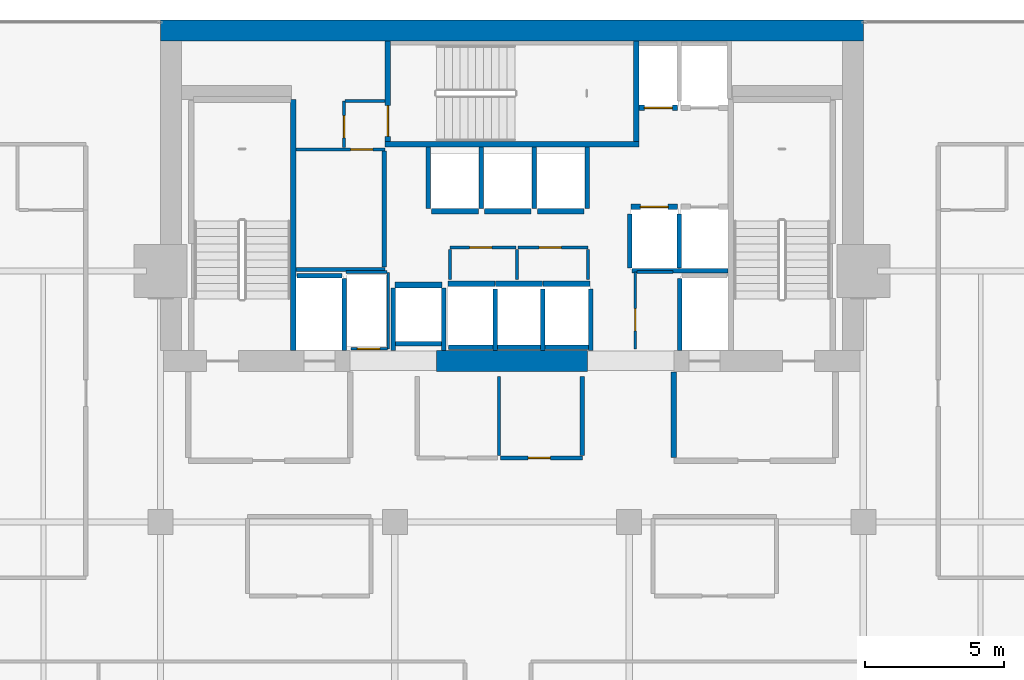
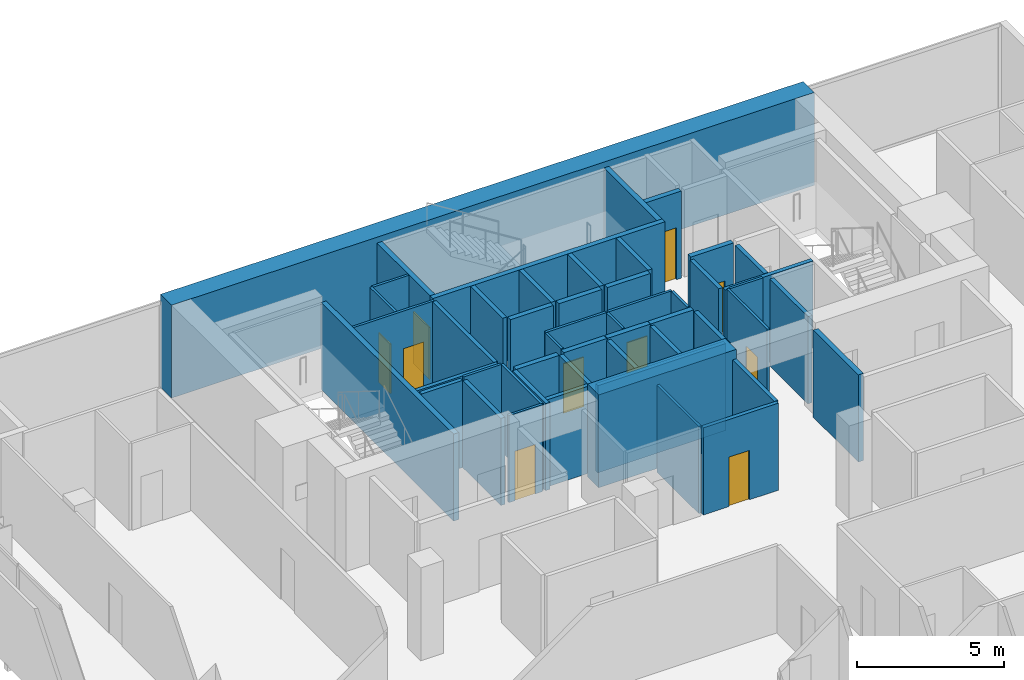
# One storey, part 29 of 33: 51 walls, 10 doors, 10 openings.
"""IFC4 building model written with IfcOpenShell, lengths in metres."""

import ifcopenshell
import ifcopenshell.guid

model = None  # the IFC model being written
_history = None  # IfcOwnerHistory: only IFC2X3 demands one
_inside = {}  # id of a spatial element -> (the spatial element, [elements in it])
_under = {}  # id of a project, library or spatial element -> (it, [spatial elements below it])
_declared = {}  # id of a project -> (the project, [libraries it declares])
_typed = {}  # id of a type object -> (the type object, [elements of that type])
_made_of = {}  # id of a material, layer set ... -> (it, [elements and type objects made of it])


def new_model(schema):
    """Start an empty IFC model of exactly this schema.

    Asked for "IFC4X3", IfcOpenShell would pick the latest addendum, in which some entities
    have other attributes; the version numbers below select the first issue.
    IFC2X3 requires an IfcOwnerHistory on every rooted entity: one is made here for all.
    """
    global model, _history
    if schema == "IFC4X3":
        model = ifcopenshell.file(schema_version=(4, 3, 0, 0))
    else:
        model = ifcopenshell.file(schema=schema)
    _inside.clear()
    _under.clear()
    _declared.clear()
    _typed.clear()
    _made_of.clear()
    _history = None
    if model.schema == "IFC2X3":
        org = make("IfcOrganization", Name="unknown")
        user = make(
            "IfcPersonAndOrganization",
            ThePerson=make("IfcPerson", FamilyName="unknown"),
            TheOrganization=org,
        )
        app = make(
            "IfcApplication",
            ApplicationDeveloper=org,
            Version="unknown",
            ApplicationFullName="unknown",
            ApplicationIdentifier="unknown",
        )
        _history = make(
            "IfcOwnerHistory",
            OwningUser=user,
            OwningApplication=app,
            ChangeAction="ADDED",
            CreationDate=0,
        )
    return model


def make(cls, **values):
    """One entity of the class cls with the attributes given. An attribute that is None is left unset."""
    return model.create_entity(
        cls, **{name: value for name, value in values.items() if value is not None}
    )


def rooted(cls, **values):
    """An entity with a GlobalId (a new one), such as an element, a storey or a relation."""
    return make(cls, GlobalId=ifcopenshell.guid.new(), OwnerHistory=_history, **values)


def si_unit(unit_type, name, prefix=None):
    """IfcSIUnit, for example si_unit("LENGTHUNIT", "METRE", prefix="MILLI")."""
    return make("IfcSIUnit", UnitType=unit_type, Prefix=prefix, Name=name)


def assignment(units):
    """IfcUnitAssignment: the units of a project."""
    return None if units is None else make("IfcUnitAssignment", Units=units)


def point(xyz):
    """IfcCartesianPoint."""
    return None if xyz is None else make("IfcCartesianPoint", Coordinates=xyz)


def direction(xyz):
    """IfcDirection."""
    return None if xyz is None else make("IfcDirection", DirectionRatios=xyz)


def frame(location, z_axis=None, x_axis=None):
    """IfcAxis2Placement3D, a coordinate frame: its origin and axes. An axis left out is left unset."""
    return make(
        "IfcAxis2Placement3D",
        Location=point(location),
        Axis=direction(z_axis),
        RefDirection=direction(x_axis),
    )


def frame_2d(location, x_axis=None):
    """IfcAxis2Placement2D, a coordinate frame in the plane: its origin and x axis."""
    return make(
        "IfcAxis2Placement2D", Location=point(location), RefDirection=direction(x_axis)
    )


def origin():
    """The frame at (0, 0, 0) with its axes left unset."""
    return frame((0.0, 0.0, 0.0))


def place(relative_to, where):
    """IfcLocalPlacement: puts the frame where relative to a parent placement (None: the world)."""
    return make(
        "IfcLocalPlacement", PlacementRelTo=relative_to, RelativePlacement=where
    )


def context(
    kind, dimensions, precision=None, world=None, true_north=None, identifier=None
):
    """IfcGeometricRepresentationContext, for example the 3D "Model" context."""
    return make(
        "IfcGeometricRepresentationContext",
        ContextIdentifier=identifier,
        ContextType=kind,
        CoordinateSpaceDimension=dimensions,
        Precision=precision,
        WorldCoordinateSystem=world,
        TrueNorth=true_north,
    )


def subcontext(parent, identifier, kind, view, scale=None):
    """IfcGeometricRepresentationSubContext, for example "Body" below "Model"."""
    return make(
        "IfcGeometricRepresentationSubContext",
        ContextIdentifier=identifier,
        ContextType=kind,
        ParentContext=parent,
        TargetScale=scale,
        TargetView=view,
    )


def project(units=None, contexts=None):
    """IfcProject with its units and contexts."""
    return rooted(
        "IfcProject",
        Name="project",
        RepresentationContexts=contexts,
        UnitsInContext=assignment(units),
    )


def spatial(cls, under=None, at=None, **own):
    """A site, building, storey or space (cls), placed at a placement, below another one or the project."""
    s = rooted(cls, ObjectPlacement=at, **own)
    if under is not None:
        _under.setdefault(under.id(), (under, []))[1].append(s)
    return s


def profile(cls, at=None, kind="AREA", **sizes):
    """A parametric profile (cls). Its sizes go by their IFC names, for example OverallWidth=200.0."""
    return make(cls, ProfileType=kind, Position=at, **sizes)


def rectangle(**sizes):
    """IfcRectangleProfileDef."""
    return profile("IfcRectangleProfileDef", **sizes)


def extrude(swept, where, along, depth):
    """IfcExtrudedAreaSolid: the profile swept, set in the frame where, extruded along a direction by depth."""
    return make(
        "IfcExtrudedAreaSolid",
        SweptArea=swept,
        Position=where,
        ExtrudedDirection=direction(along),
        Depth=depth,
    )


def shape(context_of_items, identifier, shape_type, items):
    """IfcShapeRepresentation: the items that make up one representation, for example the "Body"."""
    return make(
        "IfcShapeRepresentation",
        ContextOfItems=context_of_items,
        RepresentationIdentifier=identifier,
        RepresentationType=shape_type,
        Items=items,
    )


def material(Name=None, Category=None):
    """IfcMaterial."""
    return make("IfcMaterial", Name=Name, Category=Category)


def layer(
    of_material, thickness, ventilated=None, Name=None, Category=None, Priority=None
):
    """IfcMaterialLayer: one layer of a wall or slab, of a material (None: an air gap)."""
    return make(
        "IfcMaterialLayer",
        Material=of_material,
        LayerThickness=thickness,
        IsVentilated=ventilated,
        Name=Name,
        Category=Category,
        Priority=Priority,
    )


def layer_set(layers, Name=None):
    """IfcMaterialLayerSet."""
    return make("IfcMaterialLayerSet", MaterialLayers=layers, LayerSetName=Name)


def made_of(thing, what):
    """Note that an element or type object is made of a material, layer set ...; save() writes the relation."""
    if what is not None:
        _made_of.setdefault(what.id(), (what, []))[1].append(thing)
    return thing


def type_object(cls, material=None, **own):
    """A type object (cls), such as IfcWallType, which elements share."""
    return made_of(rooted(cls, **own), material)


def element(
    cls,
    number,
    at=None,
    inside=None,
    cuts=None,
    type_object=None,
    material=None,
    context=None,
    identifier="Body",
    shape_type=None,
    held_by="IfcProductDefinitionShape",
    body=None,
    shapes=None,
    **own,
):
    """One element of the class cls, such as IfcWall. Its Tag is "e" and its number.

    at: its placement. inside: the storey or other place that contains it. cuts: it is an
    opening in that element (IfcRelVoidsElement). A single representation is given by context,
    identifier, shape_type and body (its items); several are given by shapes. held_by: the class
    of the entity that holds the representations. save() writes the other relations.
    """
    e = rooted(cls, Tag="e%d" % number, ObjectPlacement=at, **own)
    if body is not None:
        shapes = [shape(context, identifier, shape_type, body)]
    if shapes is not None:
        e.Representation = make(held_by, Representations=shapes)
    if inside is not None:
        _inside.setdefault(inside.id(), (inside, []))[1].append(e)
    if cuts is not None:
        rooted(
            "IfcRelVoidsElement", RelatingBuildingElement=cuts, RelatedOpeningElement=e
        )
    if type_object is not None:
        _typed.setdefault(type_object.id(), (type_object, []))[1].append(e)
    return made_of(e, material)


def fill(opening, filler):
    """IfcRelFillsElement: the door or window that sits in an opening."""
    return rooted(
        "IfcRelFillsElement",
        RelatingOpeningElement=opening,
        RelatedBuildingElement=filler,
    )


def aggregate(whole, parts):
    """IfcRelAggregates: a whole, such as a stair, and the parts it consists of."""
    return rooted("IfcRelAggregates", RelatingObject=whole, RelatedObjects=parts)


def save(model, path):
    """Write the relations noted so far, then the file.

    IfcRelAggregates (storeys below a building ...), IfcRelContainedInSpatialStructure (elements
    in a storey), IfcRelDefinesByType, IfcRelAssociatesMaterial and IfcRelDeclares: one each for
    every whole, place, type object, material and project.
    """
    for whole, parts in _under.values():
        aggregate(whole, parts)
    for where, things in _inside.values():
        rooted(
            "IfcRelContainedInSpatialStructure",
            RelatedElements=things,
            RelatingStructure=where,
        )
    for kind, things in _typed.values():
        rooted("IfcRelDefinesByType", RelatedObjects=things, RelatingType=kind)
    for what, things in _made_of.values():
        rooted("IfcRelAssociatesMaterial", RelatedObjects=things, RelatingMaterial=what)
    for by, libraries in _declared.values():
        rooted("IfcRelDeclares", RelatingContext=by, RelatedDefinitions=libraries)
    model.write(path)


model = new_model("IFC4")

# Units and contexts
model_context = context("Model", 3, precision=1e-05, world=origin(), true_north=direction((0.0, 1.0)))
body_context = subcontext(model_context, "Body", "Model", "MODEL_VIEW")
ifc_project = project(units=[si_unit("LENGTHUNIT", "METRE"), si_unit("AREAUNIT", "SQUARE_METRE"), si_unit("VOLUMEUNIT", "CUBIC_METRE"), si_unit("PLANEANGLEUNIT", "RADIAN"), si_unit("MASSUNIT", "GRAM", prefix="KILO")], contexts=[model_context])

# Site, building, storey
site_placement = place(None, origin())
site = spatial("IfcSite", under=ifc_project, at=site_placement, CompositionType="ELEMENT")
building_placement = place(site_placement, origin())
building = spatial("IfcBuilding", under=site, at=building_placement, Name="Maruvema Waterfront Hotel and Observation Tower", CompositionType="ELEMENT")
storey_placement = place(building_placement, frame((0.0, 0.0, 169.75)))
storey = spatial("IfcBuildingStorey", under=building, at=storey_placement, Name="L41", CompositionType="ELEMENT", Elevation=169.75)

# Walls
ifc_material_1 = material(Name="Twin-stud acoustic gypsum drywall", Category="gypsum")
ifc_layer_1 = layer(ifc_material_1, 0.14990234375, Name="Acoustic Corridor and Suite Demising Wall 150 mm")
ifc_layer_set_1 = layer_set([ifc_layer_1], Name="Twin-stud acoustic gypsum drywall")
wall_type_1 = type_object("IfcWallType", Name="Acoustic Corridor and Suite Demising Wall 150 mm", PredefinedType="PARTITIONING", material=ifc_layer_set_1)
wall_1_placement = place(storey_placement, frame((30.06005859375, 45.06005859375, 0.0), z_axis=(0.0, 0.0, 1.0), x_axis=(1.0, 0.0, 0.0)))
element("IfcWall", 1, at=wall_1_placement, inside=storey, type_object=wall_type_1, Name="L41 Freed B1 South Wall 017", PredefinedType="PARTITIONING", context=body_context, shape_type="SweptSolid", body=[
    extrude(rectangle(XDim=3.179931640625, YDim=0.14990234375, at=frame_2d((1.58984375, 0.0))), origin(), (0.0, 0.0, 1.0), 3.610107421875),
])
wall_2_placement = place(storey_placement, frame((33.219970703125, 45.139892578125, 0.0), z_axis=(0.0, 0.0, 1.0), x_axis=(0.0, 1.0, 0.0)))
element("IfcWall", 2, at=wall_2_placement, inside=storey, type_object=wall_type_1, Name="L41 Freed B1 East Wall 018", PredefinedType="PARTITIONING", context=body_context, shape_type="SweptSolid", body=[
    extrude(rectangle(XDim=4.16015625, YDim=0.14990234375, at=frame_2d((2.080078125, 0.0))), origin(), (0.0, 0.0, 1.0), 3.610107421875),
])

# Wall, opening, door
wall_3_placement = place(storey_placement, frame((37.3798828125, 38.300048828125, 0.0), z_axis=(0.0, 0.0, 1.0), x_axis=(1.0, 0.0, 0.0)))
wall_3 = element("IfcWall", 3, at=wall_3_placement, inside=storey, type_object=wall_type_1, Name="L41 Core Apron K2B South 023", PredefinedType="PARTITIONING", context=body_context, shape_type="SweptSolid", body=[
    extrude(rectangle(XDim=2.940185546875, YDim=0.14990234375, at=frame_2d((1.47021484375, 0.0))), origin(), (0.0, 0.0, 1.0), 3.610107421875),
])
opening_1_placement = place(wall_3_placement, frame((1.0, 0.0, 0.0)))
opening_1 = element("IfcOpeningElement", 4, at=opening_1_placement, cuts=wall_3, Name="Opening DR-080", PredefinedType="OPENING", context=body_context, shape_type="SweptSolid", body=[
    extrude(rectangle(XDim=0.800048828125, YDim=2.050048828125, at=frame_2d((0.39990234375, 1.02490234375))), frame((0.0, 0.0849609375, 0.0), z_axis=(0.0, -1.0, 0.0), x_axis=(1.0, 0.0, 0.0)), (0.0, 0.0, 1.0), 0.169921875),
])
ifc_material_2 = material(Name="Powder-coated steel access leaf", Category="steel")
door_type_1 = type_object("IfcDoorType", Name="Riser and Service Cupboard Door 800x2050 mm", OperationType="NOTDEFINED", PredefinedType="DOOR", material=ifc_material_2)
door_1_placement = place(opening_1_placement, frame((0.800048828125, 0.0, 0.0), z_axis=(0.0, 0.0, 1.0), x_axis=(-1.0, 0.0, 0.0)))
door_1 = element("IfcDoor", 5, at=door_1_placement, inside=storey, type_object=door_type_1, Name="L41 Core Valet Closet Door", OperationType="SINGLE_SWING_LEFT", OverallHeight=2.050048828125, OverallWidth=0.800048828125, PredefinedType="DOOR", context=body_context, shape_type="SweptSolid", body=[
    extrude(rectangle(XDim=0.800048828125, YDim=2.050048828125, at=frame_2d((0.39990234375, 1.02490234375))), frame((0.0, 0.02490234375, 0.0), z_axis=(0.0, -1.0, 0.0), x_axis=(1.0, 0.0, 0.0)), (0.0, 0.0, 1.0), 0.050048828125),
])
fill(opening_1, door_1)

# Walls
wall_4_placement = place(storey_placement, frame((40.320068359375, 38.3798828125, 0.0), z_axis=(0.0, 0.0, 1.0), x_axis=(0.0, 1.0, 0.0)))
element("IfcWall", 6, at=wall_4_placement, inside=storey, type_object=wall_type_1, Name="L41 Core Apron K2 East 026", PredefinedType="PARTITIONING", context=body_context, shape_type="SweptSolid", body=[
    extrude(rectangle(XDim=2.840087890625, YDim=0.14990234375, at=frame_2d((1.419921875, 0.0))), origin(), (0.0, 0.0, 1.0), 3.610107421875),
])
ifc_material_3 = material(Name="Precast concrete C45/55", Category="concrete")
ifc_layer_2 = layer(ifc_material_3, 0.199951171875, Name="Core Shaft and Stairwell Enclosure Wall 200 mm")
ifc_layer_set_2 = layer_set([ifc_layer_2], Name="Precast concrete C45/55")
wall_type_2 = type_object("IfcWallType", Name="Core Shaft and Stairwell Enclosure Wall 200 mm", PredefinedType="SOLIDWALL", material=ifc_layer_set_2)
wall_5_placement = place(storey_placement, frame((29.949951171875, 42.14990234375, 0.0), z_axis=(0.0, 0.0, 1.0), x_axis=(0.0, 1.0, 0.0)))
element("IfcWall", 7, at=wall_5_placement, inside=storey, type_object=wall_type_2, Name="L41 Stairwell ST-01 East Shaft Wall", PredefinedType="SOLIDWALL", context=body_context, shape_type="SweptSolid", body=[
    extrude(rectangle(XDim=9.0, YDim=0.199951171875, at=frame_2d((4.5, 0.0))), origin(), (0.0, 0.0, 1.0), 3.610107421875),
])
wall_6_placement = place(storey_placement, frame((33.25, 49.550048828125, 0.0), z_axis=(0.0, 0.0, 1.0), x_axis=(1.0, 0.0, 0.0)))
element("IfcWall", 8, at=wall_6_placement, inside=storey, type_object=wall_type_2, Name="L41 Stairwell ST-02 Shaft Wall", PredefinedType="SOLIDWALL", context=body_context, shape_type="SweptSolid", body=[
    extrude(rectangle(XDim=9.10009765625, YDim=0.199951171875, at=frame_2d((4.550048828125, 0.0))), origin(), (0.0, 0.0, 1.0), 3.610107421875),
])
wall_7_placement = place(storey_placement, frame((42.25, 49.64990234375, 0.0), z_axis=(0.0, 0.0, 1.0), x_axis=(0.0, 1.0, 0.0)))
element("IfcWall", 9, at=wall_7_placement, inside=storey, type_object=wall_type_2, Name="L41 Stairwell ST-02 Shaft Wall", PredefinedType="SOLIDWALL", context=body_context, shape_type="SweptSolid", body=[
    extrude(rectangle(XDim=3.60009765625, YDim=0.199951171875, at=frame_2d((1.800048828125, 0.0))), origin(), (0.0, 0.0, 1.0), 3.610107421875),
])

# Wall, opening, door
wall_8_placement = place(storey_placement, frame((33.35009765625, 49.64990234375, 0.0), z_axis=(0.0, 0.0, 1.0), x_axis=(0.0, 1.0, 0.0)))
wall_8 = element("IfcWall", 10, at=wall_8_placement, inside=storey, type_object=wall_type_2, Name="L41 Stairwell ST-02 Shaft Wall", PredefinedType="SOLIDWALL", context=body_context, shape_type="SweptSolid", body=[
    extrude(rectangle(XDim=3.60009765625, YDim=0.199951171875, at=frame_2d((1.800048828125, 0.0))), origin(), (0.0, 0.0, 1.0), 3.610107421875),
])
opening_2_placement = place(wall_8_placement, frame((0.179931640625, 0.0, 0.0)))
opening_2 = element("IfcOpeningElement", 11, at=opening_2_placement, cuts=wall_8, Name="Opening SD-02", PredefinedType="OPENING", context=body_context, shape_type="SweptSolid", body=[
    extrude(rectangle(XDim=1.10009765625, YDim=2.14990234375, at=frame_2d((0.550048828125, 1.074951171875))), frame((0.0, 0.10986328125, 0.0), z_axis=(0.0, -1.0, 0.0), x_axis=(1.0, 0.0, 0.0)), (0.0, 0.0, 1.0), 0.219970703125),
])
ifc_material_4 = material(Name="Fire-rated galvanised steel leaf", Category="steel")
door_type_2 = type_object("IfcDoorType", Name="Central Exit Stair Fire Door 1100x2150 mm", OperationType="NOTDEFINED", PredefinedType="DOOR", material=ifc_material_4)
door_2_placement = place(opening_2_placement, frame((1.10009765625, 0.0, 0.0), z_axis=(0.0, 0.0, 1.0), x_axis=(-1.0, 0.0, 0.0)))
door_2 = element("IfcDoor", 12, at=door_2_placement, inside=storey, type_object=door_type_2, Name="L41 Exit Stair ST-02 Fire Door", OperationType="SINGLE_SWING_LEFT", OverallHeight=2.14990234375, OverallWidth=1.10009765625, PredefinedType="DOOR", context=body_context, shape_type="SweptSolid", body=[
    extrude(rectangle(XDim=1.10009765625, YDim=2.14990234375, at=frame_2d((0.550048828125, 1.074951171875))), frame((0.0, 0.02490234375, 0.0), z_axis=(0.0, -1.0, 0.0), x_axis=(1.0, 0.0, 0.0)), (0.0, 0.0, 1.0), 0.050048828125),
])
fill(opening_2, door_2)

wall_9_placement = place(storey_placement, frame((42.06005859375, 47.300048828125, 0.0), z_axis=(0.0, 0.0, 1.0), x_axis=(1.0, 0.0, 0.0)))
wall_9 = element("IfcWall", 13, at=wall_9_placement, inside=storey, type_object=wall_type_2, Name="L41 Lift LF-05 Hoistway Front Wall", PredefinedType="SOLIDWALL", context=body_context, shape_type="SweptSolid", body=[
    extrude(rectangle(XDim=1.679931640625, YDim=0.199951171875, at=frame_2d((0.83984375, 0.0))), origin(), (0.0, 0.0, 1.0), 3.610107421875),
])
opening_3_placement = place(wall_9_placement, frame((0.340087890625, 0.0, 0.0)))
opening_3 = element("IfcOpeningElement", 14, at=opening_3_placement, cuts=wall_9, Name="Opening LD-01", PredefinedType="OPENING", context=body_context, shape_type="SweptSolid", body=[
    extrude(rectangle(XDim=1.0, YDim=2.14990234375, at=frame_2d((0.5, 1.074951171875))), frame((0.0, 0.10986328125, 0.0), z_axis=(0.0, -1.0, 0.0), x_axis=(1.0, 0.0, 0.0)), (0.0, 0.0, 1.0), 0.219970703125),
])
ifc_material_5 = material(Name="Brushed stainless steel Grade 316", Category="steel")
door_type_3 = type_object("IfcDoorType", Name="Passenger Lift Sliding Landing Door 1000x2150 mm", OperationType="SLIDING_TO_LEFT", PredefinedType="DOOR", material=ifc_material_5)
door_3_placement = place(opening_3_placement, origin())
door_3 = element("IfcDoor", 15, at=door_3_placement, inside=storey, type_object=door_type_3, Name="L41 Lift LF-05 Sliding Landing Door", OperationType="SLIDING_TO_LEFT", OverallHeight=2.14990234375, OverallWidth=1.0, PredefinedType="DOOR", context=body_context, shape_type="SweptSolid", body=[
    extrude(rectangle(XDim=1.0, YDim=2.14990234375, at=frame_2d((0.5, 1.074951171875))), frame((0.0, 0.02490234375, 0.0), z_axis=(0.0, -1.0, 0.0), x_axis=(1.0, 0.0, 0.0)), (0.0, 0.0, 1.0), 0.050048828125),
])
fill(opening_3, door_3)

wall_10_placement = place(storey_placement, frame((42.360107421875, 50.85009765625, 0.0), z_axis=(0.0, 0.0, 1.0), x_axis=(1.0, 0.0, 0.0)))
wall_10 = element("IfcWall", 16, at=wall_10_placement, inside=storey, type_object=wall_type_2, Name="L41 Lift LF-07 Hoistway Front Wall", PredefinedType="SOLIDWALL", context=body_context, shape_type="SweptSolid", body=[
    extrude(rectangle(XDim=1.3798828125, YDim=0.199951171875, at=frame_2d((0.68994140625, 0.0))), origin(), (0.0, 0.0, 1.0), 3.610107421875),
])
opening_4_placement = place(wall_10_placement, frame((0.18994140625, 0.0, 0.0)))
opening_4 = element("IfcOpeningElement", 17, at=opening_4_placement, cuts=wall_10, Name="Opening LD-01", PredefinedType="OPENING", context=body_context, shape_type="SweptSolid", body=[
    extrude(rectangle(XDim=1.0, YDim=2.14990234375, at=frame_2d((0.5, 1.074951171875))), frame((0.0, 0.10986328125, 0.0), z_axis=(0.0, -1.0, 0.0), x_axis=(1.0, 0.0, 0.0)), (0.0, 0.0, 1.0), 0.219970703125),
])
door_4_placement = place(opening_4_placement, frame((1.0, 0.0, 0.0), z_axis=(0.0, 0.0, 1.0), x_axis=(-1.0, 0.0, 0.0)))
door_4 = element("IfcDoor", 18, at=door_4_placement, inside=storey, type_object=door_type_3, Name="L41 Lift LF-07 Sliding Landing Door", OperationType="SLIDING_TO_LEFT", OverallHeight=2.14990234375, OverallWidth=1.0, PredefinedType="DOOR", context=body_context, shape_type="SweptSolid", body=[
    extrude(rectangle(XDim=1.0, YDim=2.14990234375, at=frame_2d((0.5, 1.074951171875))), frame((0.0, 0.02490234375, 0.0), z_axis=(0.0, -1.0, 0.0), x_axis=(1.0, 0.0, 0.0)), (0.0, 0.0, 1.0), 0.050048828125),
])
fill(opening_4, door_4)

# Walls
for number, where, z_axis, x_axis, name in (
    (19, (35.510009765625, 44.550048828125, 0.0), (0.0, 0.0, 1.0), (1.0, 0.0, 0.0), "L41 Lift LF-09 Hoistway Front Wall"),
    (20, (37.2099609375, 44.550048828125, 0.0), (0.0, 0.0, 1.0), (1.0, 0.0, 0.0), "L41 Lift LF-10 Hoistway Front Wall"),
):
    element("IfcWall", number, at=place(storey_placement, frame(where, z_axis=z_axis, x_axis=x_axis)), inside=storey, type_object=wall_type_2, Name=name, PredefinedType="SOLIDWALL", context=body_context, shape_type="SweptSolid", body=[
        extrude(rectangle(XDim=1.679931640625, YDim=0.199951171875, at=frame_2d((0.83984375, 0.0))), origin(), (0.0, 0.0, 1.0), 3.610107421875),
    ])
for number, where, z_axis, x_axis, name in (
    (21, (38.909912109375, 44.550048828125, 0.0), (0.0, 0.0, 1.0), (1.0, 0.0, 0.0), "L41 Lift LF-11 Hoistway Front Wall"),
    (22, (34.909912109375, 47.14990234375, 0.0), (0.0, 0.0, 1.0), (1.0, 0.0, 0.0), "L41 Lift LF-12 Hoistway Front Wall"),
):
    element("IfcWall", number, at=place(storey_placement, frame(where, z_axis=z_axis, x_axis=x_axis)), inside=storey, type_object=wall_type_2, Name=name, PredefinedType="SOLIDWALL", context=body_context, shape_type="SweptSolid", body=[
        extrude(rectangle(XDim=1.68017578125, YDim=0.199951171875, at=frame_2d((0.840087890625, 0.0))), origin(), (0.0, 0.0, 1.0), 3.610107421875),
    ])
for number, where, z_axis, x_axis, name in (
    (23, (36.81005859375, 47.14990234375, 0.0), (0.0, 0.0, 1.0), (1.0, 0.0, 0.0), "L41 Lift LF-13 Hoistway Front Wall"),
    (24, (38.7099609375, 47.14990234375, 0.0), (0.0, 0.0, 1.0), (1.0, 0.0, 0.0), "L41 Lift LF-14 Hoistway Front Wall"),
    (25, (33.610107421875, 44.5, 0.0), (0.0, 0.0, 1.0), (1.0, 0.0, 0.0), "L41 Lift LF-15 Hoistway Front Wall"),
):
    element("IfcWall", number, at=place(storey_placement, frame(where, z_axis=z_axis, x_axis=x_axis)), inside=storey, type_object=wall_type_2, Name=name, PredefinedType="SOLIDWALL", context=body_context, shape_type="SweptSolid", body=[
        extrude(rectangle(XDim=1.679931640625, YDim=0.199951171875, at=frame_2d((0.83984375, 0.0))), origin(), (0.0, 0.0, 1.0), 3.610107421875),
    ])
ifc_material_6 = material(Name="Concrete C70/85", Category="concrete")
ifc_layer_3 = layer(ifc_material_6, 0.75, Name="Core Shear Wall 750 mm")
ifc_layer_set_3 = layer_set([ifc_layer_3], Name="Concrete C70/85")
wall_type_3 = type_object("IfcWallType", Name="Core Shear Wall 750 mm", PredefinedType="SHEAR", material=ifc_layer_set_3)
wall_11_placement = place(storey_placement, frame((25.199951171875, 53.625, 0.0), z_axis=(0.0, 0.0, 1.0), x_axis=(1.0, 0.0, 0.0)))
element("IfcWall", 26, at=wall_11_placement, inside=storey, type_object=wall_type_3, Name="L41 North Core Shear Wall", PredefinedType="SHEAR", context=body_context, shape_type="SweptSolid", body=[
    extrude(rectangle(XDim=25.199951171875, YDim=0.75, at=frame_2d((12.60009765625, 0.0))), origin(), (0.0, 0.0, 1.0), 3.85009765625),
])
wall_12_placement = place(storey_placement, frame((35.10009765625, 41.77490234375, 0.0), z_axis=(0.0, 0.0, 1.0), x_axis=(1.0, 0.0, 0.0)))
element("IfcWall", 27, at=wall_12_placement, inside=storey, type_object=wall_type_3, Name="L41 South-Central Core Shear Wall", PredefinedType="SHEAR", context=body_context, shape_type="SweptSolid", body=[
    extrude(rectangle(XDim=5.39990234375, YDim=0.75, at=frame_2d((2.699951171875, 0.0))), origin(), (0.0, 0.0, 1.0), 3.85009765625),
])

# Wall, opening, door
ifc_material_7 = material(Name="Moisture-resistant cement-board drywall", Category="gypsum")
ifc_layer_4 = layer(ifc_material_7, 0.10009765625, Name="En-Suite Moisture-Resistant Partition 100 mm")
ifc_layer_set_4 = layer_set([ifc_layer_4], Name="Moisture-resistant cement-board drywall")
wall_type_4 = type_object("IfcWallType", Name="En-Suite Moisture-Resistant Partition 100 mm", PredefinedType="PARTITIONING", material=ifc_layer_set_4)
wall_13_placement = place(storey_placement, frame((32.02001953125, 42.2099609375, 0.0), z_axis=(0.0, 0.0, 1.0), x_axis=(1.0, 0.0, 0.0)))
wall_13 = element("IfcWall", 28, at=wall_13_placement, inside=storey, type_object=wall_type_4, Name="L41 Telecom Riser South Wall 007", PredefinedType="PARTITIONING", context=body_context, shape_type="SweptSolid", body=[
    extrude(rectangle(XDim=1.320068359375, YDim=0.10009765625, at=frame_2d((0.66015625, 0.0))), origin(), (0.0, 0.0, 1.0), 3.610107421875),
])
opening_5_placement = place(wall_13_placement, frame((0.239990234375, 0.0, 0.0)))
opening_5 = element("IfcOpeningElement", 29, at=opening_5_placement, cuts=wall_13, Name="Opening DR-080", PredefinedType="OPENING", context=body_context, shape_type="SweptSolid", body=[
    extrude(rectangle(XDim=0.800048828125, YDim=2.050048828125, at=frame_2d((0.39990234375, 1.02490234375))), frame((0.0, 0.06005859375, 0.0), z_axis=(0.0, -1.0, 0.0), x_axis=(1.0, 0.0, 0.0)), (0.0, 0.0, 1.0), 0.1201171875),
])
door_5_placement = place(opening_5_placement, frame((0.800048828125, 0.0, 0.0), z_axis=(0.0, 0.0, 1.0), x_axis=(-1.0, 0.0, 0.0)))
door_5 = element("IfcDoor", 30, at=door_5_placement, inside=storey, type_object=door_type_1, Name="L41 Telecom Riser Door", OperationType="SINGLE_SWING_RIGHT", OverallHeight=2.050048828125, OverallWidth=0.800048828125, PredefinedType="DOOR", context=body_context, shape_type="SweptSolid", body=[
    extrude(rectangle(XDim=0.800048828125, YDim=2.050048828125, at=frame_2d((0.39990234375, 1.02490234375))), frame((0.0, 0.02490234375, 0.0), z_axis=(0.0, -1.0, 0.0), x_axis=(1.0, 0.0, 0.0)), (0.0, 0.0, 1.0), 0.050048828125),
])
fill(opening_5, door_5)

# Walls
wall_14_placement = place(storey_placement, frame((31.840087890625, 44.9599609375, 0.0), z_axis=(0.0, 0.0, 1.0), x_axis=(1.0, 0.0, 0.0)))
element("IfcWall", 31, at=wall_14_placement, inside=storey, type_object=wall_type_4, Name="L41 Telecom Riser North Wall 008", PredefinedType="PARTITIONING", context=body_context, shape_type="SweptSolid", body=[
    extrude(rectangle(XDim=1.47998046875, YDim=0.10009765625, at=frame_2d((0.739990234375, 0.0))), origin(), (0.0, 0.0, 1.0), 3.610107421875),
])
wall_15_placement = place(storey_placement, frame((33.360107421875, 42.2099609375, 0.0), z_axis=(0.0, 0.0, 1.0), x_axis=(0.0, 1.0, 0.0)))
element("IfcWall", 32, at=wall_15_placement, inside=storey, type_object=wall_type_4, Name="L41 Telecom Riser East Wall 009", PredefinedType="PARTITIONING", context=body_context, shape_type="SweptSolid", body=[
    extrude(rectangle(XDim=2.72998046875, YDim=0.10009765625, at=frame_2d((1.364990234375, 0.0))), origin(), (0.0, 0.0, 1.0), 3.610107421875),
])

# Wall, opening, door
wall_16_placement = place(storey_placement, frame((35.580078125, 45.840087890625, 0.0), z_axis=(0.0, 0.0, 1.0), x_axis=(1.0, 0.0, 0.0)))
wall_16 = element("IfcWall", 33, at=wall_16_placement, inside=storey, type_object=wall_type_4, Name="L41 Core Closet K2A North 010", PredefinedType="PARTITIONING", context=body_context, shape_type="SweptSolid", body=[
    extrude(rectangle(XDim=2.35986328125, YDim=0.10009765625, at=frame_2d((1.179931640625, 0.0))), origin(), (0.0, 0.0, 1.0), 3.610107421875),
])
opening_6_placement = place(wall_16_placement, frame((0.699951171875, 0.0, 0.0)))
opening_6 = element("IfcOpeningElement", 34, at=opening_6_placement, cuts=wall_16, Name="Opening DR-080", PredefinedType="OPENING", context=body_context, shape_type="SweptSolid", body=[
    extrude(rectangle(XDim=0.800048828125, YDim=2.050048828125, at=frame_2d((0.39990234375, 1.02490234375))), frame((0.0, 0.06005859375, 0.0), z_axis=(0.0, -1.0, 0.0), x_axis=(1.0, 0.0, 0.0)), (0.0, 0.0, 1.0), 0.1201171875),
])
door_6_placement = place(opening_6_placement, origin())
door_6 = element("IfcDoor", 35, at=door_6_placement, inside=storey, type_object=door_type_1, Name="L41 Core IT Closet Door", OperationType="SINGLE_SWING_LEFT", OverallHeight=2.050048828125, OverallWidth=0.800048828125, PredefinedType="DOOR", context=body_context, shape_type="SweptSolid", body=[
    extrude(rectangle(XDim=0.800048828125, YDim=2.050048828125, at=frame_2d((0.39990234375, 1.02490234375))), frame((0.0, 0.02490234375, 0.0), z_axis=(0.0, -1.0, 0.0), x_axis=(1.0, 0.0, 0.0)), (0.0, 0.0, 1.0), 0.050048828125),
])
fill(opening_6, door_6)

wall_17_placement = place(storey_placement, frame((38.02001953125, 45.840087890625, 0.0), z_axis=(0.0, 0.0, 1.0), x_axis=(1.0, 0.0, 0.0)))
wall_17 = element("IfcWall", 36, at=wall_17_placement, inside=storey, type_object=wall_type_4, Name="L41 Core Closet K2B North 011", PredefinedType="PARTITIONING", context=body_context, shape_type="SweptSolid", body=[
    extrude(rectangle(XDim=2.5, YDim=0.10009765625, at=frame_2d((1.25, 0.0))), origin(), (0.0, 0.0, 1.0), 3.610107421875),
])
opening_7_placement = place(wall_17_placement, frame((0.75, 0.0, 0.0)))
opening_7 = element("IfcOpeningElement", 37, at=opening_7_placement, cuts=wall_17, Name="Opening DR-080", PredefinedType="OPENING", context=body_context, shape_type="SweptSolid", body=[
    extrude(rectangle(XDim=0.800048828125, YDim=2.050048828125, at=frame_2d((0.39990234375, 1.02490234375))), frame((0.0, 0.06005859375, 0.0), z_axis=(0.0, -1.0, 0.0), x_axis=(1.0, 0.0, 0.0)), (0.0, 0.0, 1.0), 0.1201171875),
])
door_7_placement = place(opening_7_placement, origin())
door_7 = element("IfcDoor", 38, at=door_7_placement, inside=storey, type_object=door_type_1, Name="L41 Core Linen Cupboard Door", OperationType="SINGLE_SWING_RIGHT", OverallHeight=2.050048828125, OverallWidth=0.800048828125, PredefinedType="DOOR", context=body_context, shape_type="SweptSolid", body=[
    extrude(rectangle(XDim=0.800048828125, YDim=2.050048828125, at=frame_2d((0.39990234375, 1.02490234375))), frame((0.0, 0.02490234375, 0.0), z_axis=(0.0, -1.0, 0.0), x_axis=(1.0, 0.0, 0.0)), (0.0, 0.0, 1.0), 0.050048828125),
])
fill(opening_7, door_7)

# Walls
for number, where, z_axis, x_axis, name in (
    (39, (35.580078125, 44.699951171875, 0.0), (0.0, 0.0, 1.0), (0.0, 1.0, 0.0), "L41 Core Closet K2 West 012"),
    (40, (37.97998046875, 44.699951171875, 0.0), (0.0, 0.0, 1.0), (0.0, 1.0, 0.0), "L41 Core Closet K2 Mid 013"),
    (41, (40.52001953125, 44.699951171875, 0.0), (0.0, 0.0, 1.0), (0.0, 1.0, 0.0), "L41 Core Closet K2 East 014"),
):
    element("IfcWall", number, at=place(storey_placement, frame(where, z_axis=z_axis, x_axis=x_axis)), inside=storey, type_object=wall_type_4, Name=name, PredefinedType="PARTITIONING", context=body_context, shape_type="SweptSolid", body=[
        extrude(rectangle(XDim=1.080078125, YDim=0.10009765625, at=frame_2d((0.5400390625, 0.0))), origin(), (0.0, 0.0, 1.0), 3.610107421875),
    ])

# Wall, opening, door
wall_18_placement = place(storey_placement, frame((42.219970703125, 42.199951171875, 0.0), z_axis=(0.0, 0.0, 1.0), x_axis=(0.0, 1.0, 0.0)))
wall_18 = element("IfcWall", 42, at=wall_18_placement, inside=storey, type_object=wall_type_4, Name="L41 Core Closet K2C West 015", PredefinedType="PARTITIONING", context=body_context, shape_type="SweptSolid", body=[
    extrude(rectangle(XDim=2.760009765625, YDim=0.10009765625, at=frame_2d((1.3798828125, 0.0))), origin(), (0.0, 0.0, 1.0), 3.610107421875),
])
opening_8_placement = place(wall_18_placement, frame((0.64990234375, 0.0, 0.0)))
opening_8 = element("IfcOpeningElement", 43, at=opening_8_placement, cuts=wall_18, Name="Opening DR-080", PredefinedType="OPENING", context=body_context, shape_type="SweptSolid", body=[
    extrude(rectangle(XDim=0.800048828125, YDim=2.050048828125, at=frame_2d((0.39990234375, 1.02490234375))), frame((0.0, 0.06005859375, 0.0), z_axis=(0.0, -1.0, 0.0), x_axis=(1.0, 0.0, 0.0)), (0.0, 0.0, 1.0), 0.1201171875),
])
door_8_placement = place(opening_8_placement, frame((0.800048828125, 0.0, 0.0), z_axis=(0.0, 0.0, 1.0), x_axis=(-1.0, 0.0, 0.0)))
door_8 = element("IfcDoor", 44, at=door_8_placement, inside=storey, type_object=door_type_1, Name="L41 Core Housekeeping Closet Door", OperationType="SINGLE_SWING_LEFT", OverallHeight=2.050048828125, OverallWidth=0.800048828125, PredefinedType="DOOR", context=body_context, shape_type="SweptSolid", body=[
    extrude(rectangle(XDim=0.800048828125, YDim=2.050048828125, at=frame_2d((0.39990234375, 1.02490234375))), frame((0.0, 0.02490234375, 0.0), z_axis=(0.0, -1.0, 0.0), x_axis=(1.0, 0.0, 0.0)), (0.0, 0.0, 1.0), 0.050048828125),
])
fill(opening_8, door_8)

# Wall
wall_19_placement = place(storey_placement, frame((42.280029296875, 44.9599609375, 0.0), z_axis=(0.0, 0.0, 1.0), x_axis=(1.0, 0.0, 0.0)))
element("IfcWall", 45, at=wall_19_placement, inside=storey, type_object=wall_type_4, Name="L41 Core Closet K2C North 016", PredefinedType="PARTITIONING", context=body_context, shape_type="SweptSolid", body=[
    extrude(rectangle(XDim=1.300048828125, YDim=0.10009765625, at=frame_2d((0.64990234375, 0.0))), origin(), (0.0, 0.0, 1.0), 3.610107421875),
])

# Wall, opening, door
wall_20_placement = place(storey_placement, frame((30.06005859375, 49.360107421875, 0.0), z_axis=(0.0, 0.0, 1.0), x_axis=(1.0, 0.0, 0.0)))
wall_20 = element("IfcWall", 46, at=wall_20_placement, inside=storey, type_object=wall_type_4, Name="L41 Freed B1 Mid Wall 019", PredefinedType="PARTITIONING", context=body_context, shape_type="SweptSolid", body=[
    extrude(rectangle(XDim=3.179931640625, YDim=0.10009765625, at=frame_2d((1.58984375, 0.0))), origin(), (0.0, 0.0, 1.0), 3.610107421875),
])
opening_9_placement = place(wall_20_placement, frame((1.949951171875, 0.0, 0.0)))
opening_9 = element("IfcOpeningElement", 47, at=opening_9_placement, cuts=wall_20, Name="Opening DR-080", PredefinedType="OPENING", context=body_context, shape_type="SweptSolid", body=[
    extrude(rectangle(XDim=0.800048828125, YDim=2.050048828125, at=frame_2d((0.39990234375, 1.02490234375))), frame((0.0, 0.06005859375, 0.0), z_axis=(0.0, -1.0, 0.0), x_axis=(1.0, 0.0, 0.0)), (0.0, 0.0, 1.0), 0.1201171875),
])
door_9_placement = place(opening_9_placement, origin())
door_9 = element("IfcDoor", 48, at=door_9_placement, inside=storey, type_object=door_type_1, Name="L41 Housekeeping and Linen Room Door", OperationType="SINGLE_SWING_RIGHT", OverallHeight=2.050048828125, OverallWidth=0.800048828125, PredefinedType="DOOR", context=body_context, shape_type="SweptSolid", body=[
    extrude(rectangle(XDim=0.800048828125, YDim=2.050048828125, at=frame_2d((0.39990234375, 1.02490234375))), frame((0.0, 0.02490234375, 0.0), z_axis=(0.0, -1.0, 0.0), x_axis=(1.0, 0.0, 0.0)), (0.0, 0.0, 1.0), 0.050048828125),
])
fill(opening_9, door_9)

wall_21_placement = place(storey_placement, frame((31.780029296875, 49.419921875, 0.0), z_axis=(0.0, 0.0, 1.0), x_axis=(0.0, 1.0, 0.0)))
wall_21 = element("IfcWall", 49, at=wall_21_placement, inside=storey, type_object=wall_type_4, Name="L41 Freed B1 NW East Wall 020", PredefinedType="PARTITIONING", context=body_context, shape_type="SweptSolid", body=[
    extrude(rectangle(XDim=1.68017578125, YDim=0.10009765625, at=frame_2d((0.840087890625, 0.0))), origin(), (0.0, 0.0, 1.0), 3.610107421875),
])
opening_10_placement = place(wall_21_placement, frame((0.35009765625, 0.0, 0.0)))
opening_10 = element("IfcOpeningElement", 50, at=opening_10_placement, cuts=wall_21, Name="Opening DR-080", PredefinedType="OPENING", context=body_context, shape_type="SweptSolid", body=[
    extrude(rectangle(XDim=0.800048828125, YDim=2.050048828125, at=frame_2d((0.39990234375, 1.02490234375))), frame((0.0, 0.06005859375, 0.0), z_axis=(0.0, -1.0, 0.0), x_axis=(1.0, 0.0, 0.0)), (0.0, 0.0, 1.0), 0.1201171875),
])
door_10_placement = place(opening_10_placement, origin())
door_10 = element("IfcDoor", 51, at=door_10_placement, inside=storey, type_object=door_type_1, Name="L41 Guest Floor Pantry Door", OperationType="SINGLE_SWING_LEFT", OverallHeight=2.050048828125, OverallWidth=0.800048828125, PredefinedType="DOOR", context=body_context, shape_type="SweptSolid", body=[
    extrude(rectangle(XDim=0.800048828125, YDim=2.050048828125, at=frame_2d((0.39990234375, 1.02490234375))), frame((0.0, 0.02490234375, 0.0), z_axis=(0.0, -1.0, 0.0), x_axis=(1.0, 0.0, 0.0)), (0.0, 0.0, 1.0), 0.050048828125),
])
fill(opening_10, door_10)

# Walls
wall_22_placement = place(storey_placement, frame((31.820068359375, 51.10009765625, 0.0), z_axis=(0.0, 0.0, 1.0), x_axis=(1.0, 0.0, 0.0)))
element("IfcWall", 52, at=wall_22_placement, inside=storey, type_object=wall_type_4, Name="L41 Freed B1 Vestibule North Wall 021", PredefinedType="PARTITIONING", context=body_context, shape_type="SweptSolid", body=[
    extrude(rectangle(XDim=1.419921875, YDim=0.10009765625, at=frame_2d((0.7099609375, 0.0))), origin(), (0.0, 0.0, 1.0), 3.610107421875),
])
wall_23_placement = place(storey_placement, frame((37.330078125, 38.3798828125, 0.0), z_axis=(0.0, 0.0, 1.0), x_axis=(0.0, 1.0, 0.0)))
element("IfcWall", 53, at=wall_23_placement, inside=storey, type_object=wall_type_4, Name="L41 Core Apron K2 Split 025", PredefinedType="PARTITIONING", context=body_context, shape_type="SweptSolid", body=[
    extrude(rectangle(XDim=2.840087890625, YDim=0.10009765625, at=frame_2d((1.419921875, 0.0))), origin(), (0.0, 0.0, 1.0), 3.610107421875),
])
ifc_material_8 = material(Name="Autoclaved cellular concrete blockwork", Category="masonry")
ifc_layer_5 = layer(ifc_material_8, 0.199951171875, Name="Fire Compartment Masonry Wall 200 mm")
ifc_layer_set_5 = layer_set([ifc_layer_5], Name="Autoclaved cellular concrete blockwork")
wall_type_5 = type_object("IfcWallType", Name="Fire Compartment Masonry Wall 200 mm", PredefinedType="PARTITIONING", material=ifc_layer_set_5)
wall_24_placement = place(storey_placement, frame((43.60009765625, 38.31005859375, 0.0), z_axis=(0.0, 0.0, 1.0), x_axis=(0.0, 1.0, 0.0)))
element("IfcWall", 54, at=wall_24_placement, inside=storey, type_object=wall_type_5, Name="L41 FFL East West Wall 005", PredefinedType="PARTITIONING", context=body_context, shape_type="SweptSolid", body=[
    extrude(rectangle(XDim=3.06982421875, YDim=0.199951171875, at=frame_2d((1.534912109375, 0.0))), origin(), (0.0, 0.0, 1.0), 3.610107421875),
])
ifc_material_9 = material(Name="Precast concrete C45/55", Category="concrete")
ifc_layer_6 = layer(ifc_material_9, 0.159912109375, Name="Lift Hoistway Divider Wall 160 mm")
ifc_layer_set_6 = layer_set([ifc_layer_6], Name="Precast concrete C45/55")
wall_type_6 = type_object("IfcWallType", Name="Lift Hoistway Divider Wall 160 mm", PredefinedType="SOLIDWALL", material=ifc_layer_set_6)
wall_25_placement = place(storey_placement, frame((30.10009765625, 44.830078125, 0.0), z_axis=(0.0, 0.0, 1.0), x_axis=(1.0, 0.0, 0.0)))
element("IfcWall", 55, at=wall_25_placement, inside=storey, type_object=wall_type_6, Name="L41 Lift FL-01 Rear Hoistway Wall", PredefinedType="SOLIDWALL", context=body_context, shape_type="SweptSolid", body=[
    extrude(rectangle(XDim=1.599853515625, YDim=0.159912109375, at=frame_2d((0.7998046875, 0.0))), origin(), (0.0, 0.0, 1.0), 3.610107421875),
])
for number, where, z_axis, x_axis, name in (
    (56, (31.780029296875, 42.14990234375, 0.0), (0.0, 0.0, 1.0), (0.0, 1.0, 0.0), "L41 Lift FL-01 Inner Hoistway Wall"),
    (57, (43.820068359375, 42.14990234375, 0.0), (0.0, 0.0, 1.0), (0.0, 1.0, 0.0), "L41 Lift FL-02 Inner Hoistway Wall"),
):
    element("IfcWall", number, at=place(storey_placement, frame(where, z_axis=z_axis, x_axis=x_axis)), inside=storey, type_object=wall_type_6, Name=name, PredefinedType="SOLIDWALL", context=body_context, shape_type="SweptSolid", body=[
        extrude(rectangle(XDim=2.590087890625, YDim=0.159912109375, at=frame_2d((1.294921875, 0.0))), origin(), (0.0, 0.0, 1.0), 3.610107421875),
    ])
for number, where, z_axis, x_axis, name in (
    (58, (42.02001953125, 45.10009765625, 0.0), (0.0, 0.0, 1.0), (0.0, 1.0, 0.0), "L41 Hoistway Divider Wall"),
    (59, (43.800048828125, 45.10009765625, 0.0), (0.0, 0.0, 1.0), (0.0, 1.0, 0.0), "L41 Hoistway Divider Wall"),
):
    element("IfcWall", number, at=place(storey_placement, frame(where, z_axis=z_axis, x_axis=x_axis)), inside=storey, type_object=wall_type_6, Name=name, PredefinedType="SOLIDWALL", context=body_context, shape_type="SweptSolid", body=[
        extrude(rectangle(XDim=1.949951171875, YDim=0.159912109375, at=frame_2d((0.97509765625, 0.0))), origin(), (0.0, 0.0, 1.0), 3.610107421875),
    ])
wall_26_placement = place(storey_placement, frame((42.10009765625, 45.010009765625, 0.0), z_axis=(0.0, 0.0, 1.0), x_axis=(1.0, 0.0, 0.0)))
element("IfcWall", 60, at=wall_26_placement, inside=storey, type_object=wall_type_6, Name="L41 Hoistway Divider Wall", PredefinedType="SOLIDWALL", context=body_context, shape_type="SweptSolid", body=[
    extrude(rectangle(XDim=3.449951171875, YDim=0.159912109375, at=frame_2d((1.72509765625, 0.0))), origin(), (0.0, 0.0, 1.0), 3.610107421875),
])
for number, where, z_axis, x_axis, name in (
    (61, (37.199951171875, 42.14990234375, 0.0), (0.0, 0.0, 1.0), (0.0, 1.0, 0.0), "L41 Hoistway Divider Wall"),
    (62, (38.89990234375, 42.14990234375, 0.0), (0.0, 0.0, 1.0), (0.0, 1.0, 0.0), "L41 Hoistway Divider Wall"),
    (63, (40.6201171875, 42.14990234375, 0.0), (0.0, 0.0, 1.0), (0.0, 1.0, 0.0), "L41 Hoistway Divider Wall"),
):
    element("IfcWall", number, at=place(storey_placement, frame(where, z_axis=z_axis, x_axis=x_axis)), inside=storey, type_object=wall_type_6, Name=name, PredefinedType="SOLIDWALL", context=body_context, shape_type="SweptSolid", body=[
        extrude(rectangle(XDim=2.2001953125, YDim=0.159912109375, at=frame_2d((1.10009765625, 0.0))), origin(), (0.0, 0.0, 1.0), 3.610107421875),
    ])
wall_27_placement = place(storey_placement, frame((35.52001953125, 42.260009765625, 0.0), z_axis=(0.0, 0.0, 1.0), x_axis=(1.0, 0.0, 0.0)))
element("IfcWall", 64, at=wall_27_placement, inside=storey, type_object=wall_type_6, Name="L41 Hoistway Divider Wall", PredefinedType="SOLIDWALL", context=body_context, shape_type="SweptSolid", body=[
    extrude(rectangle(XDim=5.02001953125, YDim=0.159912109375, at=frame_2d((2.510009765625, 0.0))), origin(), (0.0, 0.0, 1.0), 3.610107421875),
])
for number, where, z_axis, x_axis, name in (
    (65, (34.800048828125, 47.25, 0.0), (0.0, 0.0, 1.0), (0.0, 1.0, 0.0), "L41 Hoistway Divider Wall"),
    (66, (36.699951171875, 47.25, 0.0), (0.0, 0.0, 1.0), (0.0, 1.0, 0.0), "L41 Hoistway Divider Wall"),
    (67, (38.60009765625, 47.25, 0.0), (0.0, 0.0, 1.0), (0.0, 1.0, 0.0), "L41 Hoistway Divider Wall"),
    (68, (40.5, 47.25, 0.0), (0.0, 0.0, 1.0), (0.0, 1.0, 0.0), "L41 Hoistway Divider Wall"),
):
    element("IfcWall", number, at=place(storey_placement, frame(where, z_axis=z_axis, x_axis=x_axis)), inside=storey, type_object=wall_type_6, Name=name, PredefinedType="SOLIDWALL", context=body_context, shape_type="SweptSolid", body=[
        extrude(rectangle(XDim=2.18994140625, YDim=0.159912109375, at=frame_2d((1.094970703125, 0.0))), origin(), (0.0, 0.0, 1.0), 3.610107421875),
    ])
for number, where, z_axis, x_axis, name in (
    (69, (33.5400390625, 42.14990234375, 0.0), (0.0, 0.0, 1.0), (0.0, 1.0, 0.0), "L41 Hoistway Divider Wall"),
    (70, (35.360107421875, 42.14990234375, 0.0), (0.0, 0.0, 1.0), (0.0, 1.0, 0.0), "L41 Hoistway Divider Wall"),
):
    element("IfcWall", number, at=place(storey_placement, frame(where, z_axis=z_axis, x_axis=x_axis)), inside=storey, type_object=wall_type_6, Name=name, PredefinedType="SOLIDWALL", context=body_context, shape_type="SweptSolid", body=[
        extrude(rectangle(XDim=2.25, YDim=0.159912109375, at=frame_2d((1.125, 0.0))), origin(), (0.0, 0.0, 1.0), 3.610107421875),
    ])
wall_28_placement = place(storey_placement, frame((33.6201171875, 42.39990234375, 0.0), z_axis=(0.0, 0.0, 1.0), x_axis=(1.0, 0.0, 0.0)))
element("IfcWall", 71, at=wall_28_placement, inside=storey, type_object=wall_type_6, Name="L41 Hoistway Divider Wall", PredefinedType="SOLIDWALL", context=body_context, shape_type="SweptSolid", body=[
    extrude(rectangle(XDim=1.659912109375, YDim=0.159912109375, at=frame_2d((0.830078125, 0.0))), origin(), (0.0, 0.0, 1.0), 3.610107421875),
])

save(model, "model.ifc")
